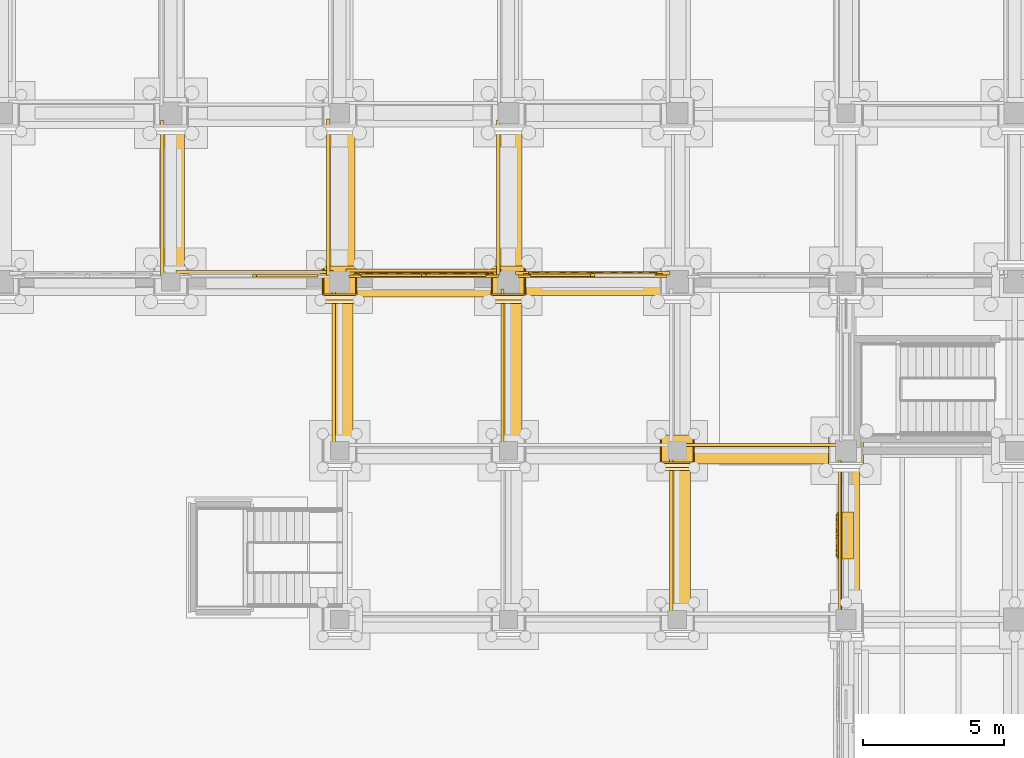
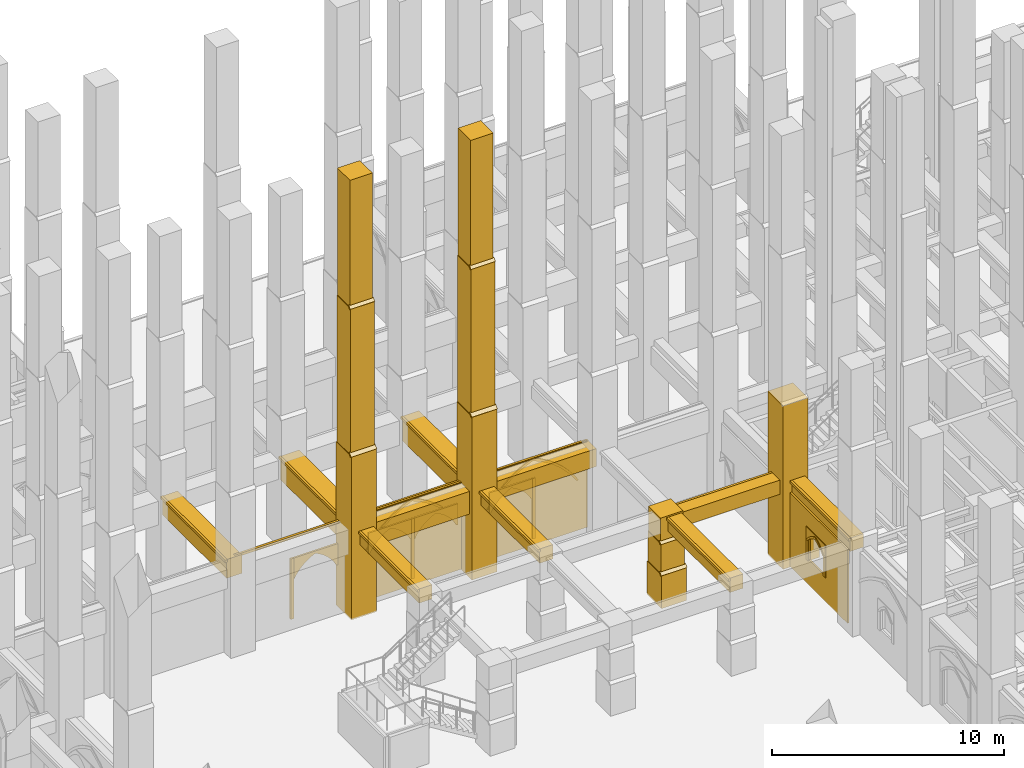
# One storey, part 92 of 135: 53 coverings.
"""IFC4 building model written with IfcOpenShell, lengths in metres."""

from ifc_helpers import new_model, si_unit, direction, frame, origin, origin_2d, place, context, subcontext, project, spatial, polyline, rectangle, outline, extrude, material, type_object, element, save


model = new_model("IFC4")

# Units and contexts
model_context = context("Model", 3, precision=1e-05, world=origin(), true_north=direction((0.0, 1.0)))
body_context = subcontext(model_context, "Body", "Model", "MODEL_VIEW")
ifc_project = project(units=[si_unit("LENGTHUNIT", "METRE"), si_unit("AREAUNIT", "SQUARE_METRE"), si_unit("VOLUMEUNIT", "CUBIC_METRE"), si_unit("PLANEANGLEUNIT", "RADIAN"), si_unit("MASSUNIT", "GRAM", prefix="KILO")], contexts=[model_context])

# Site, building, storey
site_placement = place(None, origin())
site = spatial("IfcSite", under=ifc_project, at=site_placement, CompositionType="ELEMENT")
building_placement = place(site_placement, origin())
building = spatial("IfcBuilding", under=site, at=building_placement, Name="Cumevento Cable Car Station", CompositionType="ELEMENT")
storey_placement = place(building_placement, origin())
storey = spatial("IfcBuildingStorey", under=building, at=storey_placement, Name="L01", CompositionType="ELEMENT", Elevation=0.0)

# Coverings
ifc_material = material(Name="Gnaisse Facoidal Stone Ashlar 85 MPa", Category="masonry")
covering_type = type_object("IfcCoveringType", Name="Gnaisse Ashlar Cladding CV-CL01", PredefinedType="CLADDING", material=ifc_material)
covering_1_placement = place(storey_placement, frame((40.0, 44.909912109375, -0.06005859375), z_axis=(0.0, 0.0, 1.0), x_axis=(1.0, 0.0, 0.0)))
element("IfcCovering", 1, at=covering_1_placement, inside=storey, type_object=covering_type, Name="Stepped Gothic Stone Buttress Tier 1 bt:40.0:45.0", PredefinedType="CLADDING", context=body_context, shape_type="SweptSolid", body=[
    extrude(rectangle(XDim=1.239990234375, YDim=1.300048828125, at=origin_2d()), origin(), (0.0, 0.0, 1.0), 8.595703125),
])
covering_2_placement = place(storey_placement, frame((39.360107421875, 44.239990234375, 8.515625), z_axis=(0.0, -0.711135781079, 0.703054692658), x_axis=(1.0, 0.0, 0.0)))
element("IfcCovering", 2, at=covering_2_placement, inside=storey, type_object=covering_type, Name="Gothic Buttress Sloped Stone Weathering 1 bt:40.0:45.0", PredefinedType="CLADDING", context=body_context, shape_type="SweptSolid", body=[
    extrude(outline(polyline([(0.0, 0.0), (1.27978515625, 0.0), (1.27978515625, 0.24169083397703695), (0.0, 0.24169083397703695), (0.0, 0.0)])), origin(), (0.0, 0.0, -1.0), 0.090087890625),
])
covering_3_placement = place(storey_placement, frame((40.0, 44.969970703125, 8.0830078125), z_axis=(0.0, 0.0, 1.0), x_axis=(1.0, 0.0, 0.0)))
element("IfcCovering", 3, at=covering_3_placement, inside=storey, type_object=covering_type, Name="Stepped Gothic Stone Buttress Tier 2 bt:40.0:45.0", PredefinedType="CLADDING", context=body_context, shape_type="SweptSolid", body=[
    extrude(rectangle(XDim=1.179931640625, YDim=1.179931640625, at=origin_2d()), origin(), (0.0, 0.0, 1.0), 8.143310546875),
])
covering_4_placement = place(storey_placement, frame((39.389892578125, 44.360107421875, 16.206298828125), z_axis=(0.0, -0.714474823669, 0.699661151089), x_axis=(1.0, 0.0, 0.0)))
element("IfcCovering", 4, at=covering_4_placement, inside=storey, type_object=covering_type, Name="Gothic Buttress Sloped Stone Weathering 2 bt:40.0:45.0", PredefinedType="CLADDING", context=body_context, shape_type="SweptSolid", body=[
    extrude(outline(polyline([(0.0, 0.0), (1.22021484375, 0.0), (1.22021484375, 0.21424991728737655), (0.0, 0.21424991728737655), (0.0, 0.0)])), origin(), (0.0, 0.0, -1.0), 0.090087890625),
])
covering_5_placement = place(storey_placement, frame((40.0, 45.02001953125, 15.77392578125), z_axis=(0.0, 0.0, 1.0), x_axis=(1.0, 0.0, 0.0)))
element("IfcCovering", 5, at=covering_5_placement, inside=storey, type_object=covering_type, Name="Stepped Gothic Stone Buttress Tier 3 bt:40.0:45.0", PredefinedType="CLADDING", context=body_context, shape_type="SweptSolid", body=[
    extrude(rectangle(XDim=1.1201171875, YDim=1.080078125, at=origin_2d()), origin(), (0.0, 0.0, 1.0), 7.1259765625),
])
covering_6_placement = place(storey_placement, frame((46.0, 44.909912109375, -0.06005859375), z_axis=(0.0, 0.0, 1.0), x_axis=(1.0, 0.0, 0.0)))
element("IfcCovering", 6, at=covering_6_placement, inside=storey, type_object=covering_type, Name="Stepped Gothic Stone Buttress Tier 1 bt:46.0:45.0", PredefinedType="CLADDING", context=body_context, shape_type="SweptSolid", body=[
    extrude(rectangle(XDim=1.239990234375, YDim=1.300048828125, at=origin_2d()), origin(), (0.0, 0.0, 1.0), 8.595703125),
])
covering_7_placement = place(storey_placement, frame((45.360107421875, 44.239990234375, 8.515625), z_axis=(0.0, -0.711135781079, 0.703054692658), x_axis=(1.0, 0.0, 0.0)))
element("IfcCovering", 7, at=covering_7_placement, inside=storey, type_object=covering_type, Name="Gothic Buttress Sloped Stone Weathering 1 bt:46.0:45.0", PredefinedType="CLADDING", context=body_context, shape_type="SweptSolid", body=[
    extrude(outline(polyline([(0.0, 0.0), (1.27978515625, 0.0), (1.27978515625, 0.24169083397703695), (0.0, 0.24169083397703695), (0.0, 0.0)])), origin(), (0.0, 0.0, -1.0), 0.090087890625),
])
covering_8_placement = place(storey_placement, frame((46.0, 44.969970703125, 8.0830078125), z_axis=(0.0, 0.0, 1.0), x_axis=(1.0, 0.0, 0.0)))
element("IfcCovering", 8, at=covering_8_placement, inside=storey, type_object=covering_type, Name="Stepped Gothic Stone Buttress Tier 2 bt:46.0:45.0", PredefinedType="CLADDING", context=body_context, shape_type="SweptSolid", body=[
    extrude(rectangle(XDim=1.179931640625, YDim=1.179931640625, at=origin_2d()), origin(), (0.0, 0.0, 1.0), 8.143310546875),
])
covering_9_placement = place(storey_placement, frame((45.389892578125, 44.360107421875, 16.206298828125), z_axis=(0.0, -0.714474823669, 0.699661151089), x_axis=(1.0, 0.0, 0.0)))
element("IfcCovering", 9, at=covering_9_placement, inside=storey, type_object=covering_type, Name="Gothic Buttress Sloped Stone Weathering 2 bt:46.0:45.0", PredefinedType="CLADDING", context=body_context, shape_type="SweptSolid", body=[
    extrude(outline(polyline([(0.0, 0.0), (1.22021484375, 0.0), (1.22021484375, 0.21424991728737655), (0.0, 0.21424991728737655), (0.0, 0.0)])), origin(), (0.0, 0.0, -1.0), 0.090087890625),
])
covering_10_placement = place(storey_placement, frame((46.0, 45.02001953125, 15.77392578125), z_axis=(0.0, 0.0, 1.0), x_axis=(1.0, 0.0, 0.0)))
element("IfcCovering", 10, at=covering_10_placement, inside=storey, type_object=covering_type, Name="Stepped Gothic Stone Buttress Tier 3 bt:46.0:45.0", PredefinedType="CLADDING", context=body_context, shape_type="SweptSolid", body=[
    extrude(rectangle(XDim=1.1201171875, YDim=1.080078125, at=origin_2d()), origin(), (0.0, 0.0, 1.0), 7.1259765625),
])
covering_11_placement = place(storey_placement, frame((52.0, 38.93994140625, -0.06005859375), z_axis=(0.0, 0.0, 1.0), x_axis=(1.0, 0.0, 0.0)))
element("IfcCovering", 11, at=covering_11_placement, inside=storey, type_object=covering_type, Name="Stepped Gothic Stone Buttress Tier 1 bt:52.0:39.0", PredefinedType="CLADDING", context=body_context, shape_type="SweptSolid", body=[
    extrude(rectangle(XDim=1.239990234375, YDim=1.239990234375, at=origin_2d()), origin(), (0.0, 0.0, 1.0), 1.755615234375),
])
covering_12_placement = place(storey_placement, frame((51.360107421875, 38.300048828125, 1.675537109375), z_axis=(0.0, -0.714474823669, 0.699661151089), x_axis=(1.0, 0.0, 0.0)))
element("IfcCovering", 12, at=covering_12_placement, inside=storey, type_object=covering_type, Name="Gothic Buttress Sloped Stone Weathering 1 bt:52.0:39.0", PredefinedType="CLADDING", context=body_context, shape_type="SweptSolid", body=[
    extrude(outline(polyline([(0.0, 0.0), (1.27978515625, 0.0), (1.27978515625, 0.21424991728737658), (0.0, 0.21424991728737658), (0.0, 0.0)])), origin(), (0.0, 0.0, -1.0), 0.090087890625),
])
covering_13_placement = place(storey_placement, frame((52.0, 38.989990234375, 1.603271484375), z_axis=(0.0, 0.0, 1.0), x_axis=(1.0, 0.0, 0.0)))
element("IfcCovering", 13, at=covering_13_placement, inside=storey, type_object=covering_type, Name="Stepped Gothic Stone Buttress Tier 2 bt:52.0:39.0", PredefinedType="CLADDING", context=body_context, shape_type="SweptSolid", body=[
    extrude(rectangle(XDim=1.179931640625, YDim=1.139892578125, at=origin_2d()), origin(), (0.0, 0.0, 1.0), 1.6630859375),
])
covering_14_placement = place(storey_placement, frame((51.389892578125, 38.39990234375, 3.246337890625), z_axis=(0.0, -0.715574205881, 0.698536724788), x_axis=(1.0, 0.0, 0.0)))
element("IfcCovering", 14, at=covering_14_placement, inside=storey, type_object=covering_type, Name="Gothic Buttress Sloped Stone Weathering 2 bt:52.0:39.0", PredefinedType="CLADDING", context=body_context, shape_type="SweptSolid", body=[
    extrude(outline(polyline([(0.0, 0.0), (1.22021484375, 0.0), (1.22021484375, 0.2006146760464928), (0.0, 0.2006146760464928), (0.0, 0.0)])), origin(), (0.0, 0.0, -1.0), 0.090087890625),
])
covering_15_placement = place(storey_placement, frame((52.0, 39.034912109375, 3.173828125), z_axis=(0.0, 0.0, 1.0), x_axis=(1.0, 0.0, 0.0)))
element("IfcCovering", 15, at=covering_15_placement, inside=storey, type_object=covering_type, Name="Stepped Gothic Stone Buttress Tier 3 bt:52.0:39.0", PredefinedType="CLADDING", context=body_context, shape_type="SweptSolid", body=[
    extrude(rectangle(XDim=1.1201171875, YDim=1.050048828125, at=origin_2d()), origin(), (0.0, 0.0, 1.0), 1.385986328125),
])
covering_16_placement = place(storey_placement, frame((58.0, 38.909912109375, -0.06005859375), z_axis=(0.0, 0.0, 1.0), x_axis=(1.0, 0.0, 0.0)))
element("IfcCovering", 16, at=covering_16_placement, inside=storey, type_object=covering_type, Name="Stepped Gothic Stone Buttress Tier 1 bt:58.0:39.0", PredefinedType="CLADDING", context=body_context, shape_type="SweptSolid", body=[
    extrude(rectangle(XDim=1.239990234375, YDim=1.300048828125, at=origin_2d()), origin(), (0.0, 0.0, 1.0), 8.595703125),
])
covering_17_placement = place(storey_placement, frame((58.14990234375, 35.987548828125, 3.77294921875), z_axis=(0.0, 0.0, 1.0), x_axis=(0.0, 1.0, 0.0)))
element("IfcCovering", 17, at=covering_17_placement, inside=storey, type_object=covering_type, Name="Gothic Stone Spandrel Stringcourse sc:0034", PredefinedType="CLADDING", context=body_context, shape_type="SweptSolid", body=[
    extrude(rectangle(XDim=5.514892578125, YDim=0.659912109375, at=origin_2d()), origin(), (0.0, 0.0, 1.0), 0.70703125),
])
covering_18_placement = place(storey_placement, frame((57.79248046875, 35.987548828125, 4.35009765625), z_axis=(0.0, 0.0, 1.0), x_axis=(0.0, 1.0, 0.0)))
element("IfcCovering", 18, at=covering_18_placement, inside=storey, type_object=covering_type, Name="Gothic Cornice Dripstone Lip sc:0034", PredefinedType="CLADDING", context=body_context, shape_type="SweptSolid", body=[
    extrude(rectangle(XDim=5.554931640625, YDim=0.114990234375, at=origin_2d()), origin(), (0.0, 0.0, 1.0), 0.1298828125),
])
covering_19_placement = place(storey_placement, frame((36.97509765625, 45.357421875, 4.400146484375), z_axis=(0.0, 0.0, 1.0), x_axis=(1.0, 0.0, 0.0)))
element("IfcCovering", 19, at=covering_19_placement, inside=storey, type_object=covering_type, Name="Gothic Cornice Dripstone Lip sc:0078", PredefinedType="CLADDING", context=body_context, shape_type="SweptSolid", body=[
    extrude(rectangle(XDim=5.580078125, YDim=0.114990234375, at=origin_2d()), origin(), (0.0, 0.0, 1.0), 0.1298828125),
])
covering_20_placement = place(storey_placement, frame((42.987548828125, 44.919921875, 3.2900390625), z_axis=(0.0, 0.0, 1.0), x_axis=(1.0, 0.0, 0.0)))
element("IfcCovering", 20, at=covering_20_placement, inside=storey, type_object=covering_type, Name="Gothic Stone Spandrel Stringcourse sc:0079", PredefinedType="CLADDING", context=body_context, shape_type="SweptSolid", body=[
    extrude(rectangle(XDim=5.465087890625, YDim=0.919921875, at=origin_2d()), origin(), (0.0, 0.0, 1.0), 1.18994140625),
])
covering_21_placement = place(storey_placement, frame((42.987548828125, 45.407470703125, 4.35009765625), z_axis=(0.0, 0.0, 1.0), x_axis=(1.0, 0.0, 0.0)))
element("IfcCovering", 21, at=covering_21_placement, inside=storey, type_object=covering_type, Name="Gothic Cornice Dripstone Lip sc:0079", PredefinedType="CLADDING", context=body_context, shape_type="SweptSolid", body=[
    extrude(rectangle(XDim=5.5048828125, YDim=0.114990234375, at=origin_2d()), origin(), (0.0, 0.0, 1.0), 0.1298828125),
])
covering_22_placement = place(storey_placement, frame((49.0, 44.89990234375, 3.5400390625), z_axis=(0.0, 0.0, 1.0), x_axis=(1.0, 0.0, 0.0)))
element("IfcCovering", 22, at=covering_22_placement, inside=storey, type_object=covering_type, Name="Gothic Stone Spandrel Stringcourse sc:0080", PredefinedType="CLADDING", context=body_context, shape_type="SweptSolid", body=[
    extrude(rectangle(XDim=5.43994140625, YDim=0.760009765625, at=origin_2d()), origin(), (0.0, 0.0, 1.0), 0.93994140625),
])
covering_23_placement = place(storey_placement, frame((49.0, 45.3076171875, 4.35009765625), z_axis=(0.0, 0.0, 1.0), x_axis=(1.0, 0.0, 0.0)))
element("IfcCovering", 23, at=covering_23_placement, inside=storey, type_object=covering_type, Name="Gothic Cornice Dripstone Lip sc:0080", PredefinedType="CLADDING", context=body_context, shape_type="SweptSolid", body=[
    extrude(rectangle(XDim=5.47998046875, YDim=0.114990234375, at=origin_2d()), origin(), (0.0, 0.0, 1.0), 0.1298828125),
])
covering_24_placement = place(storey_placement, frame((34.10009765625, 47.96240234375, 3.5400390625), z_axis=(0.0, 0.0, 1.0), x_axis=(0.0, 1.0, 0.0)))
element("IfcCovering", 24, at=covering_24_placement, inside=storey, type_object=covering_type, Name="Gothic Stone Spandrel Stringcourse sc:0095", PredefinedType="CLADDING", context=body_context, shape_type="SweptSolid", body=[
    extrude(rectangle(XDim=5.514892578125, YDim=0.760009765625, at=origin_2d()), origin(), (0.0, 0.0, 1.0), 0.989990234375),
])
covering_25_placement = place(storey_placement, frame((33.6923828125, 47.96240234375, 4.400146484375), z_axis=(0.0, 0.0, 1.0), x_axis=(0.0, 1.0, 0.0)))
element("IfcCovering", 25, at=covering_25_placement, inside=storey, type_object=covering_type, Name="Gothic Cornice Dripstone Lip sc:0095", PredefinedType="CLADDING", context=body_context, shape_type="SweptSolid", body=[
    extrude(rectangle(XDim=5.554931640625, YDim=0.114990234375, at=origin_2d()), origin(), (0.0, 0.0, 1.0), 0.1298828125),
])
covering_26_placement = place(storey_placement, frame((40.080078125, 48.012451171875, 3.2900390625), z_axis=(0.0, 0.0, 1.0), x_axis=(0.0, 1.0, 0.0)))
element("IfcCovering", 26, at=covering_26_placement, inside=storey, type_object=covering_type, Name="Gothic Stone Spandrel Stringcourse sc:0097", PredefinedType="CLADDING", context=body_context, shape_type="SweptSolid", body=[
    extrude(rectangle(XDim=5.514892578125, YDim=0.919921875, at=origin_2d()), origin(), (0.0, 0.0, 1.0), 1.239990234375),
])
covering_27_placement = place(storey_placement, frame((39.592529296875, 48.012451171875, 4.400146484375), z_axis=(0.0, 0.0, 1.0), x_axis=(0.0, 1.0, 0.0)))
element("IfcCovering", 27, at=covering_27_placement, inside=storey, type_object=covering_type, Name="Gothic Cornice Dripstone Lip sc:0097", PredefinedType="CLADDING", context=body_context, shape_type="SweptSolid", body=[
    extrude(rectangle(XDim=5.554931640625, YDim=0.114990234375, at=origin_2d()), origin(), (0.0, 0.0, 1.0), 0.1298828125),
])
covering_28_placement = place(storey_placement, frame((46.080078125, 48.012451171875, 3.239990234375), z_axis=(0.0, 0.0, 1.0), x_axis=(0.0, 1.0, 0.0)))
element("IfcCovering", 28, at=covering_28_placement, inside=storey, type_object=covering_type, Name="Gothic Stone Spandrel Stringcourse sc:0099", PredefinedType="CLADDING", context=body_context, shape_type="SweptSolid", body=[
    extrude(rectangle(XDim=5.465087890625, YDim=0.820068359375, at=origin_2d()), origin(), (0.0, 0.0, 1.0), 1.2900390625),
])
covering_29_placement = place(storey_placement, frame((45.642578125, 48.012451171875, 4.400146484375), z_axis=(0.0, 0.0, 1.0), x_axis=(0.0, 1.0, 0.0)))
element("IfcCovering", 29, at=covering_29_placement, inside=storey, type_object=covering_type, Name="Gothic Cornice Dripstone Lip sc:0099", PredefinedType="CLADDING", context=body_context, shape_type="SweptSolid", body=[
    extrude(rectangle(XDim=5.5048828125, YDim=0.114990234375, at=origin_2d()), origin(), (0.0, 0.0, 1.0), 0.1298828125),
])
covering_30_placement = place(storey_placement, frame((54.97509765625, 38.85009765625, 3.73291015625), z_axis=(0.0, 0.0, 1.0), x_axis=(1.0, 0.0, 0.0)))
element("IfcCovering", 30, at=covering_30_placement, inside=storey, type_object=covering_type, Name="Gothic Stone Spandrel Stringcourse sc:0829", PredefinedType="CLADDING", context=body_context, shape_type="SweptSolid", body=[
    extrude(rectangle(XDim=5.5400390625, YDim=0.659912109375, at=origin_2d()), origin(), (0.0, 0.0, 1.0), 0.7470703125),
])
covering_31_placement = place(storey_placement, frame((54.97509765625, 39.20751953125, 4.35009765625), z_axis=(0.0, 0.0, 1.0), x_axis=(1.0, 0.0, 0.0)))
element("IfcCovering", 31, at=covering_31_placement, inside=storey, type_object=covering_type, Name="Gothic Cornice Dripstone Lip sc:0829", PredefinedType="CLADDING", context=body_context, shape_type="SweptSolid", body=[
    extrude(rectangle(XDim=5.580078125, YDim=0.114990234375, at=origin_2d()), origin(), (0.0, 0.0, 1.0), 0.1298828125),
])
covering_32_placement = place(storey_placement, frame((40.14990234375, 41.97509765625, 3.73291015625), z_axis=(0.0, 0.0, 1.0), x_axis=(0.0, 1.0, 0.0)))
element("IfcCovering", 32, at=covering_32_placement, inside=storey, type_object=covering_type, Name="Gothic Stone Spandrel Stringcourse sc:0831", PredefinedType="CLADDING", context=body_context, shape_type="SweptSolid", body=[
    extrude(rectangle(XDim=5.5400390625, YDim=0.659912109375, at=origin_2d()), origin(), (0.0, 0.0, 1.0), 0.7470703125),
])
covering_33_placement = place(storey_placement, frame((39.79248046875, 41.97509765625, 4.35009765625), z_axis=(0.0, 0.0, 1.0), x_axis=(0.0, 1.0, 0.0)))
element("IfcCovering", 33, at=covering_33_placement, inside=storey, type_object=covering_type, Name="Gothic Cornice Dripstone Lip sc:0831", PredefinedType="CLADDING", context=body_context, shape_type="SweptSolid", body=[
    extrude(rectangle(XDim=5.580078125, YDim=0.114990234375, at=origin_2d()), origin(), (0.0, 0.0, 1.0), 0.1298828125),
])
covering_34_placement = place(storey_placement, frame((46.14990234375, 41.96240234375, 3.73291015625), z_axis=(0.0, 0.0, 1.0), x_axis=(0.0, 1.0, 0.0)))
element("IfcCovering", 34, at=covering_34_placement, inside=storey, type_object=covering_type, Name="Gothic Stone Spandrel Stringcourse sc:0833", PredefinedType="CLADDING", context=body_context, shape_type="SweptSolid", body=[
    extrude(rectangle(XDim=5.514892578125, YDim=0.659912109375, at=origin_2d()), origin(), (0.0, 0.0, 1.0), 0.7470703125),
])
covering_35_placement = place(storey_placement, frame((45.79248046875, 41.96240234375, 4.35009765625), z_axis=(0.0, 0.0, 1.0), x_axis=(0.0, 1.0, 0.0)))
element("IfcCovering", 35, at=covering_35_placement, inside=storey, type_object=covering_type, Name="Gothic Cornice Dripstone Lip sc:0833", PredefinedType="CLADDING", context=body_context, shape_type="SweptSolid", body=[
    extrude(rectangle(XDim=5.554931640625, YDim=0.114990234375, at=origin_2d()), origin(), (0.0, 0.0, 1.0), 0.1298828125),
])
covering_36_placement = place(storey_placement, frame((52.14990234375, 36.0, 3.73291015625), z_axis=(0.0, 0.0, 1.0), x_axis=(0.0, 1.0, 0.0)))
element("IfcCovering", 36, at=covering_36_placement, inside=storey, type_object=covering_type, Name="Gothic Stone Spandrel Stringcourse sc:0834", PredefinedType="CLADDING", context=body_context, shape_type="SweptSolid", body=[
    extrude(rectangle(XDim=5.590087890625, YDim=0.659912109375, at=origin_2d()), origin(), (0.0, 0.0, 1.0), 0.7470703125),
])
covering_37_placement = place(storey_placement, frame((51.79248046875, 36.0, 4.35009765625), z_axis=(0.0, 0.0, 1.0), x_axis=(0.0, 1.0, 0.0)))
element("IfcCovering", 37, at=covering_37_placement, inside=storey, type_object=covering_type, Name="Gothic Cornice Dripstone Lip sc:0834", PredefinedType="CLADDING", context=body_context, shape_type="SweptSolid", body=[
    extrude(rectangle(XDim=5.6298828125, YDim=0.114990234375, at=origin_2d()), origin(), (0.0, 0.0, 1.0), 0.1298828125),
])
covering_38_placement = place(storey_placement, frame((34.5048828125, 45.0, 0.300048828125), z_axis=(0.0, 0.0, 1.0), x_axis=(1.0, 0.0, 0.0)))
element("IfcCovering", 38, at=covering_38_placement, inside=storey, type_object=covering_type, Name="Gothic Bifora Stone Colonnette blind_ogival:0013 #1", PredefinedType="CLADDING", context=body_context, shape_type="SweptSolid", body=[
    extrude(outline(polyline([(2.39501953125, -0.02001953125), (2.544921875, -0.02001953125), (2.544921875, 3.156005859375), (2.39501953125, 3.156005859375), (2.39501953125, -0.02001953125)])), frame((0.0, 0.26806640625, 0.0), z_axis=(0.0, -1.0, 0.0), x_axis=(1.0, 0.0, 0.0)), (0.0, 0.0, 1.0), 0.094970703125),
])
covering_39_placement = place(storey_placement, frame((37.02001953125, 45.0, 2.340087890625), z_axis=(0.0, 0.0, 1.0), x_axis=(1.0, 0.0, 0.0)))
element("IfcCovering", 39, at=covering_39_placement, inside=storey, type_object=covering_type, Name="Gothic Ogival Pointed-Arch Stone Spandrel blind_ogival:0013:sub:1", PredefinedType="CLADDING", context=body_context, shape_type="SweptSolid", body=[
    extrude(outline(polyline([(-0.02001953125, 0.0), (-0.02001953125, 1.115966796875), (2.215087890625, 1.115966796875), (2.215087890625, 0.0), (2.155029296875, 0.0), (2.03125, 0.213623046875), (1.88330078125, 0.411376953125), (1.713623046875, 0.5908203125), (1.5244140625, 0.74951171875), (1.318115234375, 0.885009765625), (1.097412109375, 0.99609375), (0.876953125, 0.885009765625), (0.670654296875, 0.74951171875), (0.4814453125, 0.5908203125), (0.311767578125, 0.411376953125), (0.163818359375, 0.213623046875), (0.0400390625, 0.0), (-0.02001953125, 0.0)])), frame((0.0, 0.263916015625, 0.0), z_axis=(0.0, -1.0, 0.0), x_axis=(1.0, 0.0, 0.0)), (0.0, 0.0, 1.0), 0.090087890625),
])
covering_40_placement = place(storey_placement, frame((40.375, 45.0, 0.0), z_axis=(0.0, 0.0, 1.0), x_axis=(1.0, 0.0, 0.0)))
element("IfcCovering", 40, at=covering_40_placement, inside=storey, type_object=covering_type, Name="Exterior Gnaisse Stone Wall Ashlar #14", PredefinedType="CLADDING", context=body_context, shape_type="SweptSolid", body=[
    extrude(outline(polyline([(-0.0400390625, -0.02001953125), (5.264892578125, -0.02001953125), (5.264892578125, 4.52001953125), (-0.0400390625, 4.52001953125), (-0.0400390625, -0.02001953125)])), frame((0.0, 0.237548828125, 0.0), z_axis=(0.0, -1.0, 0.0), x_axis=(1.0, 0.0, 0.0)), (0.0, 0.0, 1.0), 0.0849609375),
])
placement_1 = place(storey_placement, frame((40.554931640625, 45.0, 0.300048828125), z_axis=(0.0, 0.0, 1.0), x_axis=(1.0, 0.0, 0.0)))
element("IfcCovering", 41, at=placement_1, inside=storey, type_object=covering_type, Name="Gothic Ogival Pointed-Arch Stone Spandrel blind_ogival:0014", PredefinedType="CLADDING", context=body_context, shape_type="SweptSolid", body=[
    extrude(outline(polyline([(-0.050048828125, 0.0), (-0.050048828125, 4.239990234375), (4.9150390625, 4.239990234375), (4.9150390625, 0.0), (4.60498046875, 0.0), (4.60498046875, 2.219970703125), (4.37158203125, 2.556884765625), (4.1083984375, 2.87109375), (3.81787109375, 3.159912109375), (3.50244140625, 3.42138671875), (3.16455078125, 3.653076171875), (2.806884765625, 3.853271484375), (2.4326171875, 4.02001953125), (2.05810546875, 3.853271484375), (1.700439453125, 3.653076171875), (1.362548828125, 3.42138671875), (1.047119140625, 3.159912109375), (0.756591796875, 2.87109375), (0.493408203125, 2.556884765625), (0.260009765625, 2.219970703125), (0.260009765625, 0.0), (-0.050048828125, 0.0)])), frame((0.0, 0.29248046875, 0.0), z_axis=(0.0, -1.0, 0.0), x_axis=(1.0, 0.0, 0.0)), (0.0, 0.0, 1.0), 0.110107421875),
])
covering_42_placement = place(storey_placement, frame((40.554931640625, 45.0, 2.52001953125), z_axis=(0.0, 0.0, 1.0), x_axis=(1.0, 0.0, 0.0)))
element("IfcCovering", 42, at=covering_42_placement, inside=storey, type_object=covering_type, Name="Gothic Pointed Archivolt Hood Moulding blind_ogival:0014", PredefinedType="CLADDING", context=body_context, shape_type="SweptSolid", body=[
    extrude(outline(polyline([(0.260009765625, 0.0), (0.493408203125, 0.3369140625), (0.756591796875, 0.651123046875), (1.047119140625, 0.93994140625), (1.362548828125, 1.201416015625), (1.700439453125, 1.43310546875), (2.05810546875, 1.63330078125), (2.4326171875, 1.800048828125), (2.806884765625, 1.63330078125), (3.16455078125, 1.43310546875), (3.50244140625, 1.201416015625), (3.81787109375, 0.93994140625), (4.1083984375, 0.651123046875), (4.37158203125, 0.3369140625), (4.60498046875, 0.0), (4.72607421875, 0.0), (4.483154296875, 0.3642578125), (4.207763671875, 0.704345703125), (3.902099609375, 1.017578125), (3.56884765625, 1.301025390625), (3.210693359375, 1.552734375), (2.830810546875, 1.77001953125), (2.4326171875, 1.951171875), (2.0341796875, 1.77001953125), (1.654296875, 1.552734375), (1.296142578125, 1.301025390625), (0.962890625, 1.017578125), (0.6572265625, 0.704345703125), (0.3818359375, 0.3642578125), (0.138916015625, 0.0), (0.260009765625, 0.0)])), frame((0.0, 0.33447265625, 0.0), z_axis=(0.0, -1.0, 0.0), x_axis=(1.0, 0.0, 0.0)), (0.0, 0.0, 1.0), 0.06689453125),
])
element("IfcCovering", 43, at=placement_1, inside=storey, type_object=covering_type, Name="Gothic Bifora Stone Colonnette blind_ogival:0014 #1", PredefinedType="CLADDING", context=body_context, shape_type="SweptSolid", body=[
    extrude(outline(polyline([(2.357421875, -0.02001953125), (2.507568359375, -0.02001953125), (2.507568359375, 3.156005859375), (2.357421875, 3.156005859375), (2.357421875, -0.02001953125)])), frame((0.0, 0.280517578125, 0.0), z_axis=(0.0, -1.0, 0.0), x_axis=(1.0, 0.0, 0.0)), (0.0, 0.0, 1.0), 0.094970703125),
])
for number, where, z_axis, x_axis, name in (
    (44, (40.784912109375, 45.0, 2.340087890625), (0.0, 0.0, 1.0), (1.0, 0.0, 0.0), "Gothic Ogival Pointed-Arch Stone Spandrel blind_ogival:0014:sub:0"),
    (45, (43.032470703125, 45.0, 2.340087890625), (0.0, 0.0, 1.0), (1.0, 0.0, 0.0), "Gothic Ogival Pointed-Arch Stone Spandrel blind_ogival:0014:sub:1"),
):
    element("IfcCovering", number, at=place(storey_placement, frame(where, z_axis=z_axis, x_axis=x_axis)), inside=storey, type_object=covering_type, Name=name, PredefinedType="CLADDING", context=body_context, shape_type="SweptSolid", body=[
        extrude(outline(polyline([(-0.02001953125, 0.0), (-0.02001953125, 1.115966796875), (2.177490234375, 1.115966796875), (2.177490234375, 0.0), (2.117431640625, 0.0), (1.997314453125, 0.213134765625), (1.85302734375, 0.410888671875), (1.6865234375, 0.59033203125), (1.500244140625, 0.7490234375), (1.296875, 0.884765625), (1.078857421875, 0.99609375), (0.860595703125, 0.884765625), (0.6572265625, 0.7490234375), (0.470947265625, 0.59033203125), (0.304443359375, 0.410888671875), (0.16015625, 0.213134765625), (0.0400390625, 0.0), (-0.02001953125, 0.0)])), frame((0.0, 0.276611328125, 0.0), z_axis=(0.0, -1.0, 0.0), x_axis=(1.0, 0.0, 0.0)), (0.0, 0.0, 1.0), 0.090087890625),
    ])
covering_44_placement = place(storey_placement, frame((46.39990234375, 45.0, 0.0), z_axis=(0.0, 0.0, 1.0), x_axis=(1.0, 0.0, 0.0)))
element("IfcCovering", 46, at=covering_44_placement, inside=storey, type_object=covering_type, Name="Exterior Gnaisse Stone Wall Ashlar #15", PredefinedType="CLADDING", context=body_context, shape_type="SweptSolid", body=[
    extrude(outline(polyline([(-0.0400390625, -0.02001953125), (5.239990234375, -0.02001953125), (5.239990234375, 4.52001953125), (-0.0400390625, 4.52001953125), (-0.0400390625, -0.02001953125)])), frame((0.0, 0.25, 0.0), z_axis=(0.0, -1.0, 0.0), x_axis=(1.0, 0.0, 0.0)), (0.0, 0.0, 1.0), 0.0849609375),
])
placement_2 = place(storey_placement, frame((46.580078125, 45.0, 0.300048828125), z_axis=(0.0, 0.0, 1.0), x_axis=(1.0, 0.0, 0.0)))
element("IfcCovering", 47, at=placement_2, inside=storey, type_object=covering_type, Name="Gothic Ogival Pointed-Arch Stone Spandrel blind_ogival:0015", PredefinedType="CLADDING", context=body_context, shape_type="SweptSolid", body=[
    extrude(outline(polyline([(-0.050048828125, 0.0), (-0.050048828125, 4.239990234375), (4.889892578125, 4.239990234375), (4.889892578125, 0.0), (4.580078125, 0.0), (4.580078125, 2.219970703125), (4.3486328125, 2.556640625), (4.087646484375, 2.87060546875), (3.799072265625, 3.15966796875), (3.4853515625, 3.421142578125), (3.14892578125, 3.653076171875), (2.79296875, 3.85302734375), (2.419921875, 4.02001953125), (2.047119140625, 3.85302734375), (1.691162109375, 3.653076171875), (1.354736328125, 3.421142578125), (1.041015625, 3.15966796875), (0.75244140625, 2.87060546875), (0.491455078125, 2.556640625), (0.260009765625, 2.219970703125), (0.260009765625, 0.0), (-0.050048828125, 0.0)])), frame((0.0, 0.304931640625, 0.0), z_axis=(0.0, -1.0, 0.0), x_axis=(1.0, 0.0, 0.0)), (0.0, 0.0, 1.0), 0.110107421875),
])
covering_46_placement = place(storey_placement, frame((46.580078125, 45.0, 2.52001953125), z_axis=(0.0, 0.0, 1.0), x_axis=(1.0, 0.0, 0.0)))
element("IfcCovering", 48, at=covering_46_placement, inside=storey, type_object=covering_type, Name="Gothic Pointed Archivolt Hood Moulding blind_ogival:0015", PredefinedType="CLADDING", context=body_context, shape_type="SweptSolid", body=[
    extrude(outline(polyline([(0.260009765625, 0.0), (0.491455078125, 0.336669921875), (0.75244140625, 0.650634765625), (1.041015625, 0.939697265625), (1.354736328125, 1.201171875), (1.691162109375, 1.43310546875), (2.047119140625, 1.633056640625), (2.419921875, 1.800048828125), (2.79296875, 1.633056640625), (3.14892578125, 1.43310546875), (3.4853515625, 1.201171875), (3.799072265625, 0.939697265625), (4.087646484375, 0.650634765625), (4.3486328125, 0.336669921875), (4.580078125, 0.0), (4.700927734375, 0.0), (4.46044921875, 0.364013671875), (4.18701171875, 0.7041015625), (3.88330078125, 1.017333984375), (3.5517578125, 1.30078125), (3.1953125, 1.552490234375), (2.81689453125, 1.77001953125), (2.419921875, 1.951171875), (2.023193359375, 1.77001953125), (1.644775390625, 1.552490234375), (1.288330078125, 1.30078125), (0.956787109375, 1.017333984375), (0.653076171875, 0.7041015625), (0.379638671875, 0.364013671875), (0.138916015625, 0.0), (0.260009765625, 0.0)])), frame((0.0, 0.346923828125, 0.0), z_axis=(0.0, -1.0, 0.0), x_axis=(1.0, 0.0, 0.0)), (0.0, 0.0, 1.0), 0.06689453125),
])
element("IfcCovering", 49, at=placement_2, inside=storey, type_object=covering_type, Name="Gothic Bifora Stone Colonnette blind_ogival:0015 #1", PredefinedType="CLADDING", context=body_context, shape_type="SweptSolid", body=[
    extrude(outline(polyline([(2.344970703125, -0.02001953125), (2.4951171875, -0.02001953125), (2.4951171875, 3.156005859375), (2.344970703125, 3.156005859375), (2.344970703125, -0.02001953125)])), frame((0.0, 0.29296875, 0.0), z_axis=(0.0, -1.0, 0.0), x_axis=(1.0, 0.0, 0.0)), (0.0, 0.0, 1.0), 0.094970703125),
])
covering_48_placement = place(storey_placement, frame((46.81005859375, 45.0, 2.340087890625), z_axis=(0.0, 0.0, 1.0), x_axis=(1.0, 0.0, 0.0)))
element("IfcCovering", 50, at=covering_48_placement, inside=storey, type_object=covering_type, Name="Gothic Ogival Pointed-Arch Stone Spandrel blind_ogival:0015:sub:0", PredefinedType="CLADDING", context=body_context, shape_type="SweptSolid", body=[
    extrude(outline(polyline([(-0.02001953125, 0.0), (-0.02001953125, 1.115966796875), (2.1650390625, 1.115966796875), (2.1650390625, 0.0), (2.10498046875, 0.0), (1.986083984375, 0.213134765625), (1.843017578125, 0.41064453125), (1.677490234375, 0.590087890625), (1.492431640625, 0.748779296875), (1.289794921875, 0.884765625), (1.072509765625, 0.99609375), (0.855224609375, 0.884765625), (0.652587890625, 0.748779296875), (0.467529296875, 0.590087890625), (0.302001953125, 0.41064453125), (0.158935546875, 0.213134765625), (0.0400390625, 0.0), (-0.02001953125, 0.0)])), frame((0.0, 0.2890625, 0.0), z_axis=(0.0, -1.0, 0.0), x_axis=(1.0, 0.0, 0.0)), (0.0, 0.0, 1.0), 0.090087890625),
])
covering_49_placement = place(storey_placement, frame((58.0, 33.35009765625, 0.0), z_axis=(0.0, 0.0, 1.0), x_axis=(0.0, 1.0, 0.0)))
element("IfcCovering", 51, at=covering_49_placement, inside=storey, type_object=covering_type, Name="Exterior Gnaisse Stone Wall Ashlar #134", PredefinedType="CLADDING", context=body_context, shape_type="SweptSolid", body=[
    extrude(outline(polyline([(-0.0400390625, -0.02001953125), (5.31494140625, -0.02001953125), (5.31494140625, 3.85302734375), (-0.0400390625, 3.85302734375), (-0.0400390625, -0.02001953125)]), holes=[polyline([(1.99755859375, 1.31005859375), (3.277587890625, 1.31005859375), (3.277587890625, 2.739990234375), (1.99755859375, 2.739990234375), (1.99755859375, 1.31005859375)])]), frame((0.0, 0.27001953125, 0.0), z_axis=(0.0, -1.0, 0.0), x_axis=(1.0, 0.0, 0.0)), (0.0, 0.0, 1.0), 0.0849609375),
])
covering_50_placement = place(storey_placement, frame((58.0, 35.197509765625, 1.25), z_axis=(0.0, 0.0, 1.0), x_axis=(0.0, 1.0, 0.0)))
element("IfcCovering", 52, at=covering_50_placement, inside=storey, type_object=covering_type, Name="Gothic Ogival Pointed-Arch Stone Spandrel op_ogival:0134:1", PredefinedType="CLADDING", context=body_context, shape_type="SweptSolid", body=[
    extrude(outline(polyline([(-0.0400390625, 0.0), (-0.0400390625, 1.719970703125), (1.6201171875, 1.719970703125), (1.6201171875, 0.0), (1.43994140625, 0.0), (1.43994140625, 1.093994140625), (1.36376953125, 1.1787109375), (1.28125, 1.25732421875), (1.1923828125, 1.3291015625), (1.098388671875, 1.3935546875), (0.999755859375, 1.450439453125), (0.896728515625, 1.499267578125), (0.7900390625, 1.5400390625), (0.683349609375, 1.499267578125), (0.580322265625, 1.450439453125), (0.481689453125, 1.3935546875), (0.3876953125, 1.3291015625), (0.298828125, 1.25732421875), (0.21630859375, 1.1787109375), (0.139892578125, 1.093994140625), (0.139892578125, 0.0), (-0.0400390625, 0.0)])), frame((0.0, 0.30810546875, 0.0), z_axis=(0.0, -1.0, 0.0), x_axis=(1.0, 0.0, 0.0)), (0.0, 0.0, 1.0), 0.570068359375),
])
covering_51_placement = place(storey_placement, frame((58.0, 35.197509765625, 2.343994140625), z_axis=(0.0, 0.0, 1.0), x_axis=(0.0, 1.0, 0.0)))
element("IfcCovering", 53, at=covering_51_placement, inside=storey, type_object=covering_type, Name="Gothic Pointed Archivolt Hood Moulding op_ogival:0134:1", PredefinedType="CLADDING", context=body_context, shape_type="SweptSolid", body=[
    extrude(outline(polyline([(0.139892578125, 0.0), (0.21630859375, 0.084716796875), (0.298828125, 0.163330078125), (0.3876953125, 0.235107421875), (0.481689453125, 0.299560546875), (0.580322265625, 0.3564453125), (0.683349609375, 0.4052734375), (0.7900390625, 0.446044921875), (0.896728515625, 0.4052734375), (0.999755859375, 0.3564453125), (1.098388671875, 0.299560546875), (1.1923828125, 0.235107421875), (1.28125, 0.163330078125), (1.36376953125, 0.084716796875), (1.43994140625, 0.0), (1.5390625, 0.0), (1.455078125, 0.107421875), (1.362060546875, 0.207275390625), (1.260986328125, 0.298828125), (1.15234375, 0.38134765625), (1.037109375, 0.45458984375), (0.916015625, 0.517333984375), (0.7900390625, 0.56982421875), (0.6640625, 0.517333984375), (0.54296875, 0.45458984375), (0.427734375, 0.38134765625), (0.319091796875, 0.298828125), (0.218017578125, 0.207275390625), (0.125, 0.107421875), (0.041015625, 0.0), (0.139892578125, 0.0)])), frame((0.0, 0.35009765625, 0.0), z_axis=(0.0, -1.0, 0.0), x_axis=(1.0, 0.0, 0.0)), (0.0, 0.0, 1.0), 0.06689453125),
])

save(model, "model.ifc")
